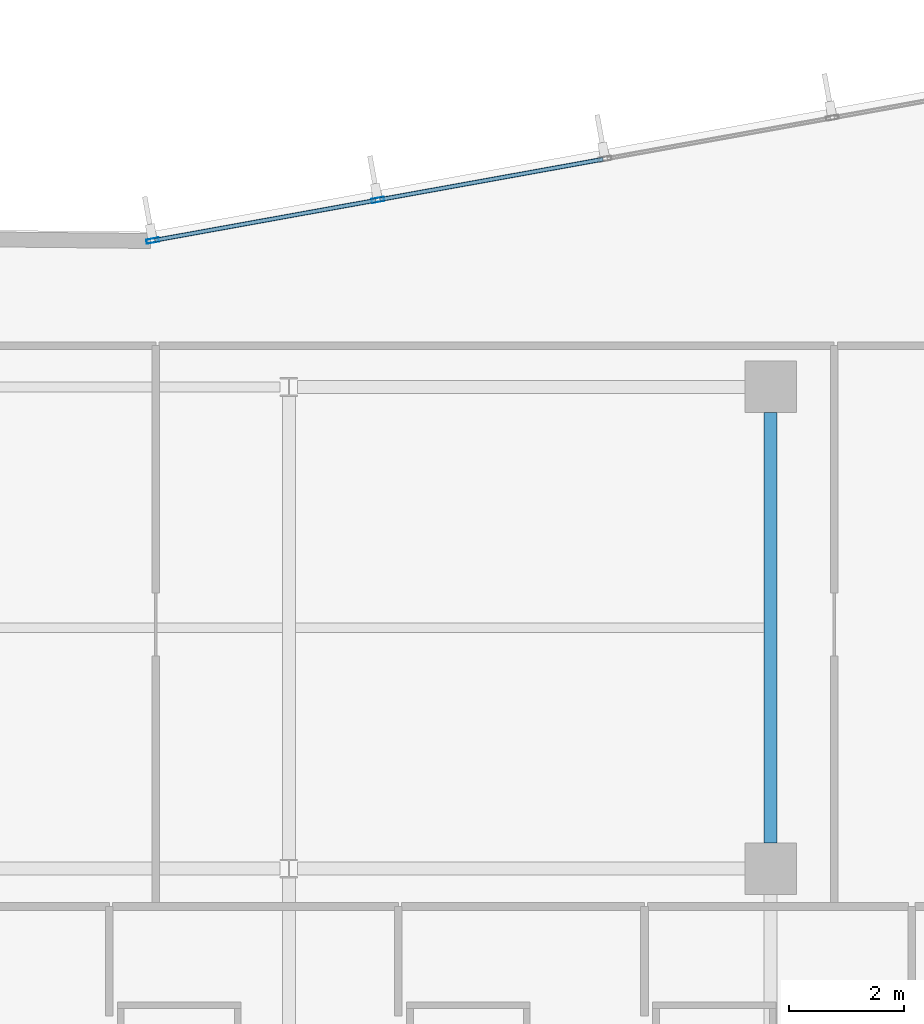
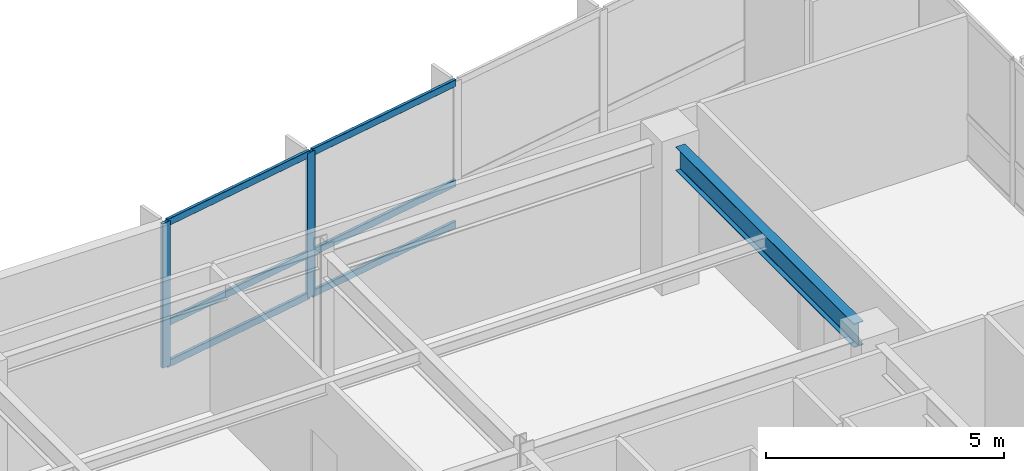
# One storey, part 7 of 20: 8 members, 1 beam, 1 element without a shape of its own.
"""IFC4 building model written with IfcOpenShell, lengths in metres."""

from ifc_helpers import new_model, si_unit, direction, frame, origin, origin_2d, place, context, subcontext, project, spatial, hollow_rectangle, i_section, extrude, material, layer, layer_set, material_profile, profile_set, type_object, element, aggregate, save


model = new_model("IFC4")

# Units and contexts
model_context = context("Model", 3, precision=1e-05, world=origin(), true_north=direction((0.0, 1.0)))
body_context = subcontext(model_context, "Body", "Model", "MODEL_VIEW")
ifc_project = project(units=[si_unit("LENGTHUNIT", "METRE"), si_unit("AREAUNIT", "SQUARE_METRE"), si_unit("VOLUMEUNIT", "CUBIC_METRE"), si_unit("PLANEANGLEUNIT", "RADIAN"), si_unit("MASSUNIT", "GRAM", prefix="KILO")], contexts=[model_context])

# Site, building, storey
site_placement = place(None, origin())
site = spatial("IfcSite", under=ifc_project, at=site_placement, CompositionType="ELEMENT")
building_placement = place(site_placement, origin())
building = spatial("IfcBuilding", under=site, at=building_placement, Name="Varnakote Quay Hospital", CompositionType="ELEMENT")
storey_placement = place(building_placement, frame((0.0, 0.0, 81.75)))
storey = spatial("IfcBuildingStorey", under=building, at=storey_placement, Name="L20", CompositionType="ELEMENT", Elevation=81.75)

# Beam
ifc_material_1 = material(Name="Structural steel AS/NZS 3679.1 Grade 350 L0 (fy 340 MPa)", Category="steel")
ifc_material_profile_1 = material_profile(ifc_material_1, i_section(OverallWidth=0.22900390625, OverallDepth=0.612060546875, WebThickness=0.011962890625, FlangeThickness=0.01953125, FilletRadius=0.013916015625, at=origin_2d()), Name="610UB125")
ifc_profile_set_1 = profile_set([ifc_material_profile_1], Name="Structural steel AS/NZS 3679.1 Grade 350 L0 (fy 340 MPa)")
beam_type = type_object("IfcBeamType", Name="BM-STL-610UB125", PredefinedType="BEAM", material=ifc_profile_set_1)
beam_placement = place(storey_placement, frame((50.39990234375, 20.85009765625, 3.404052734375), z_axis=(0.0, 1.0, 0.0), x_axis=(-1.0, 0.0, 0.0)))
element("IfcBeam", 1, at=beam_placement, inside=storey, type_object=beam_type, Name="L20 Primary Tie Beam", PredefinedType="BEAM", context=body_context, shape_type="SweptSolid", body=[
    extrude(i_section(OverallWidth=0.22900390625, OverallDepth=0.612060546875, WebThickness=0.011962890625, FlangeThickness=0.01953125, FilletRadius=0.013916015625, at=origin_2d()), origin(), (0.0, 0.0, 1.0), 7.5),
])

# Curtain wall, members
ifc_material_2 = material(Name="Anodised aluminium 6063-T6 Bronze", Category="aluminium")
ifc_layer = layer(ifc_material_2, 0.18994140625)
ifc_layer_set = layer_set([ifc_layer], Name="Anodised aluminium 6063-T6 Bronze")
curtain_wall_type = type_object("IfcCurtainWallType", Name="CW-SYS-2", PredefinedType="NOTDEFINED", material=ifc_layer_set)
curtain_wall_placement = place(storey_placement, origin())
curtain_wall = element("IfcCurtainWall", 2, at=curtain_wall_placement, inside=storey, type_object=curtain_wall_type, Name="L20 Unitised Bronze Curtain Wall 2", PredefinedType="NOTDEFINED")
ifc_material_3 = material(Name="Anodised aluminium 6063-T6 Bronze", Category="aluminium")
ifc_material_profile_2 = material_profile(ifc_material_3, hollow_rectangle(XDim=0.074951171875, YDim=0.219970703125, WallThickness=0.00439453125, InnerFilletRadius=0.00439453125, OuterFilletRadius=0.009033203125, at=origin_2d()), Name="CW-MULL-220x75")
ifc_profile_set_2 = profile_set([ifc_material_profile_2], Name="Anodised aluminium 6063-T6 Bronze")
member_type_1 = type_object("IfcMemberType", Name="CW-MULL-220x75", PredefinedType="MULLION", material=ifc_profile_set_2)
member_1_placement = place(storey_placement, frame((43.55224609375, 32.06005859375, 0.0), z_axis=(0.0, 0.0, 1.0), x_axis=(0.177846199098, -0.984058295766, 0.0)))
member_1 = element("IfcMember", 3, at=member_1_placement, type_object=member_type_1, Name="-2-L20-2 mullion 4", PredefinedType="MULLION", context=body_context, shape_type="SweptSolid", body=[
    extrude(hollow_rectangle(XDim=0.074951171875, YDim=0.219970703125, WallThickness=0.00439453125, InnerFilletRadius=0.00439453125, OuterFilletRadius=0.009033203125, at=origin_2d()), origin(), (0.0, 0.0, 1.0), 3.7099609375),
])
member_2_placement = place(storey_placement, frame((39.62646484375, 31.3505859375, 0.0), z_axis=(0.0, 0.0, 1.0), x_axis=(0.177846199098, -0.984058295766, 0.0)))
member_2 = element("IfcMember", 4, at=member_2_placement, type_object=member_type_1, Name="-2-L20-2 mullion 5", PredefinedType="MULLION", context=body_context, shape_type="SweptSolid", body=[
    extrude(hollow_rectangle(XDim=0.074951171875, YDim=0.219970703125, WallThickness=0.00439453125, InnerFilletRadius=0.00439453125, OuterFilletRadius=0.009033203125, at=origin_2d()), origin(), (0.0, 0.0, 1.0), 3.7099609375),
])
ifc_material_4 = material(Name="Anodised aluminium 6063-T6 Bronze", Category="aluminium")
ifc_material_profile_3 = material_profile(ifc_material_4, hollow_rectangle(XDim=0.074951171875, YDim=0.179931640625, WallThickness=0.004150390625, InnerFilletRadius=0.004150390625, OuterFilletRadius=0.00830078125, at=origin_2d()), Name="CW-TRAN-180x75")
ifc_profile_set_3 = profile_set([ifc_material_profile_3], Name="Anodised aluminium 6063-T6 Bronze")
member_type_2 = type_object("IfcMemberType", Name="CW-TRAN-180x75", PredefinedType="USERDEFINED", material=ifc_profile_set_3)
member_3_placement = place(storey_placement, frame((47.477783203125, 32.76953125, 0.03759765625), z_axis=(-0.98405423478, -0.177868667876, 0.0), x_axis=(0.177868667876, -0.98405423478, 0.0)))
member_3 = element("IfcMember", 5, at=member_3_placement, type_object=member_type_2, Name="-2-L20-2 transom 3.1", ObjectType="TRANSOM", PredefinedType="USERDEFINED", context=body_context, shape_type="SweptSolid", body=[
    extrude(hollow_rectangle(XDim=0.074951171875, YDim=0.179931640625, WallThickness=0.004150390625, InnerFilletRadius=0.004150390625, OuterFilletRadius=0.00830078125, at=origin_2d()), origin(), (0.0, 0.0, 1.0), 3.95166015625),
])
member_4_placement = place(storey_placement, frame((47.477783203125, 32.76953125, 1.10009765625), z_axis=(-0.98405423478, -0.177868667876, 0.0), x_axis=(0.177868667876, -0.98405423478, 0.0)))
member_4 = element("IfcMember", 6, at=member_4_placement, type_object=member_type_2, Name="-2-L20-2 transom 3.2", ObjectType="TRANSOM", PredefinedType="USERDEFINED", context=body_context, shape_type="SweptSolid", body=[
    extrude(hollow_rectangle(XDim=0.074951171875, YDim=0.179931640625, WallThickness=0.004150390625, InnerFilletRadius=0.004150390625, OuterFilletRadius=0.00830078125, at=origin_2d()), origin(), (0.0, 0.0, 1.0), 3.95166015625),
])
member_5_placement = place(storey_placement, frame((47.477783203125, 32.76953125, 3.672607421875), z_axis=(-0.98405423478, -0.177868667876, 0.0), x_axis=(0.177868667876, -0.98405423478, 0.0)))
member_5 = element("IfcMember", 7, at=member_5_placement, type_object=member_type_2, Name="-2-L20-2 transom 3.3", ObjectType="TRANSOM", PredefinedType="USERDEFINED", context=body_context, shape_type="SweptSolid", body=[
    extrude(hollow_rectangle(XDim=0.074951171875, YDim=0.179931640625, WallThickness=0.004150390625, InnerFilletRadius=0.004150390625, OuterFilletRadius=0.00830078125, at=origin_2d()), origin(), (0.0, 0.0, 1.0), 3.95166015625),
])
member_6_placement = place(storey_placement, frame((43.515380859375, 32.053466796875, 0.03759765625), z_axis=(-0.984053005206, -0.177875470329, 0.0), x_axis=(0.177875470329, -0.984053005206, 0.0)))
member_6 = element("IfcMember", 8, at=member_6_placement, type_object=member_type_2, Name="-2-L20-2 transom 4.1", ObjectType="TRANSOM", PredefinedType="USERDEFINED", context=body_context, shape_type="SweptSolid", body=[
    extrude(hollow_rectangle(XDim=0.074951171875, YDim=0.179931640625, WallThickness=0.004150390625, InnerFilletRadius=0.004150390625, OuterFilletRadius=0.00830078125, at=origin_2d()), origin(), (0.0, 0.0, 1.0), 3.91455078125),
])
member_7_placement = place(storey_placement, frame((43.515380859375, 32.053466796875, 1.10009765625), z_axis=(-0.984053005206, -0.177875470329, 0.0), x_axis=(0.177875470329, -0.984053005206, 0.0)))
member_7 = element("IfcMember", 9, at=member_7_placement, type_object=member_type_2, Name="-2-L20-2 transom 4.2", ObjectType="TRANSOM", PredefinedType="USERDEFINED", context=body_context, shape_type="SweptSolid", body=[
    extrude(hollow_rectangle(XDim=0.074951171875, YDim=0.179931640625, WallThickness=0.004150390625, InnerFilletRadius=0.004150390625, OuterFilletRadius=0.00830078125, at=origin_2d()), origin(), (0.0, 0.0, 1.0), 3.91455078125),
])
member_8_placement = place(storey_placement, frame((43.515380859375, 32.053466796875, 3.672607421875), z_axis=(-0.984053005206, -0.177875470329, 0.0), x_axis=(0.177875470329, -0.984053005206, 0.0)))
member_8 = element("IfcMember", 10, at=member_8_placement, type_object=member_type_2, Name="-2-L20-2 transom 4.3", ObjectType="TRANSOM", PredefinedType="USERDEFINED", context=body_context, shape_type="SweptSolid", body=[
    extrude(hollow_rectangle(XDim=0.074951171875, YDim=0.179931640625, WallThickness=0.004150390625, InnerFilletRadius=0.004150390625, OuterFilletRadius=0.00830078125, at=origin_2d()), origin(), (0.0, 0.0, 1.0), 3.91455078125),
])
aggregate(curtain_wall, [member_1, member_2, member_3, member_4, member_5, member_6, member_7, member_8])

save(model, "model.ifc")
